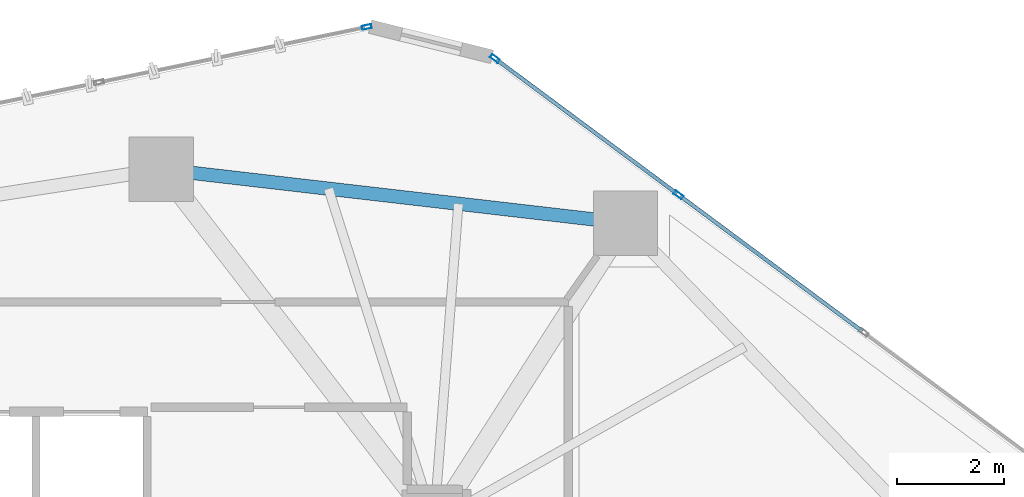
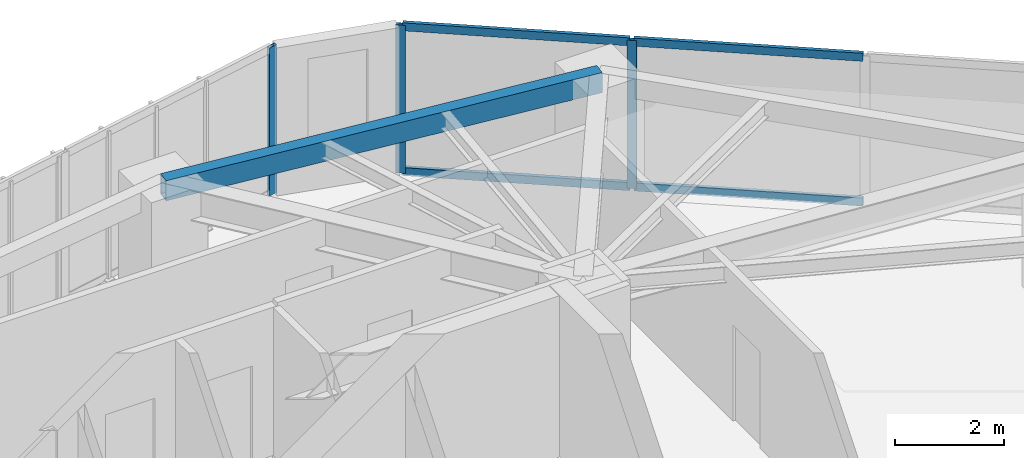
# One storey, part 15 of 22: 7 members, 1 beam, 2 elements without a shape of their own.
"""IFC4 building model written with IfcOpenShell, lengths in metres."""

import ifcopenshell
import ifcopenshell.guid

model = None  # the IFC model being written
_history = None  # IfcOwnerHistory: only IFC2X3 demands one
_inside = {}  # id of a spatial element -> (the spatial element, [elements in it])
_under = {}  # id of a project, library or spatial element -> (it, [spatial elements below it])
_declared = {}  # id of a project -> (the project, [libraries it declares])
_typed = {}  # id of a type object -> (the type object, [elements of that type])
_made_of = {}  # id of a material, layer set ... -> (it, [elements and type objects made of it])


def new_model(schema):
    """Start an empty IFC model of exactly this schema.

    Asked for "IFC4X3", IfcOpenShell would pick the latest addendum, in which some entities
    have other attributes; the version numbers below select the first issue.
    IFC2X3 requires an IfcOwnerHistory on every rooted entity: one is made here for all.
    """
    global model, _history
    if schema == "IFC4X3":
        model = ifcopenshell.file(schema_version=(4, 3, 0, 0))
    else:
        model = ifcopenshell.file(schema=schema)
    _inside.clear()
    _under.clear()
    _declared.clear()
    _typed.clear()
    _made_of.clear()
    _history = None
    if model.schema == "IFC2X3":
        org = make("IfcOrganization", Name="unknown")
        user = make(
            "IfcPersonAndOrganization",
            ThePerson=make("IfcPerson", FamilyName="unknown"),
            TheOrganization=org,
        )
        app = make(
            "IfcApplication",
            ApplicationDeveloper=org,
            Version="unknown",
            ApplicationFullName="unknown",
            ApplicationIdentifier="unknown",
        )
        _history = make(
            "IfcOwnerHistory",
            OwningUser=user,
            OwningApplication=app,
            ChangeAction="ADDED",
            CreationDate=0,
        )
    return model


def make(cls, **values):
    """One entity of the class cls with the attributes given. An attribute that is None is left unset."""
    return model.create_entity(
        cls, **{name: value for name, value in values.items() if value is not None}
    )


def rooted(cls, **values):
    """An entity with a GlobalId (a new one), such as an element, a storey or a relation."""
    return make(cls, GlobalId=ifcopenshell.guid.new(), OwnerHistory=_history, **values)


def si_unit(unit_type, name, prefix=None):
    """IfcSIUnit, for example si_unit("LENGTHUNIT", "METRE", prefix="MILLI")."""
    return make("IfcSIUnit", UnitType=unit_type, Prefix=prefix, Name=name)


def assignment(units):
    """IfcUnitAssignment: the units of a project."""
    return None if units is None else make("IfcUnitAssignment", Units=units)


def point(xyz):
    """IfcCartesianPoint."""
    return None if xyz is None else make("IfcCartesianPoint", Coordinates=xyz)


def direction(xyz):
    """IfcDirection."""
    return None if xyz is None else make("IfcDirection", DirectionRatios=xyz)


def frame(location, z_axis=None, x_axis=None):
    """IfcAxis2Placement3D, a coordinate frame: its origin and axes. An axis left out is left unset."""
    return make(
        "IfcAxis2Placement3D",
        Location=point(location),
        Axis=direction(z_axis),
        RefDirection=direction(x_axis),
    )


def frame_2d(location, x_axis=None):
    """IfcAxis2Placement2D, a coordinate frame in the plane: its origin and x axis."""
    return make(
        "IfcAxis2Placement2D", Location=point(location), RefDirection=direction(x_axis)
    )


def origin():
    """The frame at (0, 0, 0) with its axes left unset."""
    return frame((0.0, 0.0, 0.0))


def origin_2d():
    """The frame at (0, 0) in the plane with its x axis left unset."""
    return frame_2d((0.0, 0.0))


def place(relative_to, where):
    """IfcLocalPlacement: puts the frame where relative to a parent placement (None: the world)."""
    return make(
        "IfcLocalPlacement", PlacementRelTo=relative_to, RelativePlacement=where
    )


def context(
    kind, dimensions, precision=None, world=None, true_north=None, identifier=None
):
    """IfcGeometricRepresentationContext, for example the 3D "Model" context."""
    return make(
        "IfcGeometricRepresentationContext",
        ContextIdentifier=identifier,
        ContextType=kind,
        CoordinateSpaceDimension=dimensions,
        Precision=precision,
        WorldCoordinateSystem=world,
        TrueNorth=true_north,
    )


def subcontext(parent, identifier, kind, view, scale=None):
    """IfcGeometricRepresentationSubContext, for example "Body" below "Model"."""
    return make(
        "IfcGeometricRepresentationSubContext",
        ContextIdentifier=identifier,
        ContextType=kind,
        ParentContext=parent,
        TargetScale=scale,
        TargetView=view,
    )


def project(units=None, contexts=None):
    """IfcProject with its units and contexts."""
    return rooted(
        "IfcProject",
        Name="project",
        RepresentationContexts=contexts,
        UnitsInContext=assignment(units),
    )


def spatial(cls, under=None, at=None, **own):
    """A site, building, storey or space (cls), placed at a placement, below another one or the project."""
    s = rooted(cls, ObjectPlacement=at, **own)
    if under is not None:
        _under.setdefault(under.id(), (under, []))[1].append(s)
    return s


def profile(cls, at=None, kind="AREA", **sizes):
    """A parametric profile (cls). Its sizes go by their IFC names, for example OverallWidth=200.0."""
    return make(cls, ProfileType=kind, Position=at, **sizes)


def hollow_rectangle(**sizes):
    """IfcRectangleHollowProfileDef."""
    return profile("IfcRectangleHollowProfileDef", **sizes)


def extrude(swept, where, along, depth):
    """IfcExtrudedAreaSolid: the profile swept, set in the frame where, extruded along a direction by depth."""
    return make(
        "IfcExtrudedAreaSolid",
        SweptArea=swept,
        Position=where,
        ExtrudedDirection=direction(along),
        Depth=depth,
    )


def shape(context_of_items, identifier, shape_type, items):
    """IfcShapeRepresentation: the items that make up one representation, for example the "Body"."""
    return make(
        "IfcShapeRepresentation",
        ContextOfItems=context_of_items,
        RepresentationIdentifier=identifier,
        RepresentationType=shape_type,
        Items=items,
    )


def source(mapping_origin, context_of_items, identifier, shape_type, items):
    """IfcRepresentationMap: a shape defined once, which mapped items show again and again."""
    return make(
        "IfcRepresentationMap",
        MappingOrigin=mapping_origin,
        MappedRepresentation=shape(context_of_items, identifier, shape_type, items),
    )


def transform(
    local_origin,
    x_axis=None,
    y_axis=None,
    z_axis=None,
    scale=None,
    scale2=None,
    scale3=None,
    uniform=True,
):
    """IfcCartesianTransformationOperator3D, or its non-uniform kind. x_axis, y_axis, z_axis: its Axis1, 2, 3."""
    if uniform:
        return make(
            "IfcCartesianTransformationOperator3D",
            Axis1=direction(x_axis),
            Axis2=direction(y_axis),
            LocalOrigin=point(local_origin),
            Scale=scale,
            Axis3=direction(z_axis),
        )
    return make(
        "IfcCartesianTransformationOperator3DnonUniform",
        Axis1=direction(x_axis),
        Axis2=direction(y_axis),
        LocalOrigin=point(local_origin),
        Scale=scale,
        Axis3=direction(z_axis),
        Scale2=scale2,
        Scale3=scale3,
    )


def mapped(mapping_source, mapping_target):
    """IfcMappedItem: shows the shape of a source again, moved by a transform."""
    return make(
        "IfcMappedItem", MappingSource=mapping_source, MappingTarget=mapping_target
    )


def material(Name=None, Category=None):
    """IfcMaterial."""
    return make("IfcMaterial", Name=Name, Category=Category)


def layer(
    of_material, thickness, ventilated=None, Name=None, Category=None, Priority=None
):
    """IfcMaterialLayer: one layer of a wall or slab, of a material (None: an air gap)."""
    return make(
        "IfcMaterialLayer",
        Material=of_material,
        LayerThickness=thickness,
        IsVentilated=ventilated,
        Name=Name,
        Category=Category,
        Priority=Priority,
    )


def layer_set(layers, Name=None):
    """IfcMaterialLayerSet."""
    return make("IfcMaterialLayerSet", MaterialLayers=layers, LayerSetName=Name)


def material_profile(
    of_material, cross_section, Name=None, Category=None, Priority=None
):
    """IfcMaterialProfile: a cross section and its material."""
    return make(
        "IfcMaterialProfile",
        Name=Name,
        Material=of_material,
        Profile=cross_section,
        Priority=Priority,
        Category=Category,
    )


def profile_set(profiles, Name=None, composite=None):
    """IfcMaterialProfileSet."""
    return make(
        "IfcMaterialProfileSet",
        Name=Name,
        MaterialProfiles=profiles,
        CompositeProfile=composite,
    )


def made_of(thing, what):
    """Note that an element or type object is made of a material, layer set ...; save() writes the relation."""
    if what is not None:
        _made_of.setdefault(what.id(), (what, []))[1].append(thing)
    return thing


def type_object(cls, material=None, **own):
    """A type object (cls), such as IfcWallType, which elements share."""
    return made_of(rooted(cls, **own), material)


def type_shapes(of_type, sources):
    """Give a type object the sources (RepresentationMaps) that its elements show as mapped items."""
    of_type.RepresentationMaps = sources


def element(
    cls,
    number,
    at=None,
    inside=None,
    cuts=None,
    type_object=None,
    material=None,
    context=None,
    identifier="Body",
    shape_type=None,
    held_by="IfcProductDefinitionShape",
    body=None,
    shapes=None,
    **own,
):
    """One element of the class cls, such as IfcWall. Its Tag is "e" and its number.

    at: its placement. inside: the storey or other place that contains it. cuts: it is an
    opening in that element (IfcRelVoidsElement). A single representation is given by context,
    identifier, shape_type and body (its items); several are given by shapes. held_by: the class
    of the entity that holds the representations. save() writes the other relations.
    """
    e = rooted(cls, Tag="e%d" % number, ObjectPlacement=at, **own)
    if body is not None:
        shapes = [shape(context, identifier, shape_type, body)]
    if shapes is not None:
        e.Representation = make(held_by, Representations=shapes)
    if inside is not None:
        _inside.setdefault(inside.id(), (inside, []))[1].append(e)
    if cuts is not None:
        rooted(
            "IfcRelVoidsElement", RelatingBuildingElement=cuts, RelatedOpeningElement=e
        )
    if type_object is not None:
        _typed.setdefault(type_object.id(), (type_object, []))[1].append(e)
    return made_of(e, material)


def aggregate(whole, parts):
    """IfcRelAggregates: a whole, such as a stair, and the parts it consists of."""
    return rooted("IfcRelAggregates", RelatingObject=whole, RelatedObjects=parts)


def save(model, path):
    """Write the relations noted so far, then the file.

    IfcRelAggregates (storeys below a building ...), IfcRelContainedInSpatialStructure (elements
    in a storey), IfcRelDefinesByType, IfcRelAssociatesMaterial and IfcRelDeclares: one each for
    every whole, place, type object, material and project.
    """
    for whole, parts in _under.values():
        aggregate(whole, parts)
    for where, things in _inside.values():
        rooted(
            "IfcRelContainedInSpatialStructure",
            RelatedElements=things,
            RelatingStructure=where,
        )
    for kind, things in _typed.values():
        rooted("IfcRelDefinesByType", RelatedObjects=things, RelatingType=kind)
    for what, things in _made_of.values():
        rooted("IfcRelAssociatesMaterial", RelatedObjects=things, RelatingMaterial=what)
    for by, libraries in _declared.values():
        rooted("IfcRelDeclares", RelatingContext=by, RelatedDefinitions=libraries)
    model.write(path)


model = new_model("IFC4")

# Units and contexts
model_context = context("Model", 3, precision=1e-05, world=origin(), true_north=direction((0.0, 1.0)))
body_context = subcontext(model_context, "Body", "Model", "MODEL_VIEW")
ifc_project = project(units=[si_unit("LENGTHUNIT", "METRE"), si_unit("AREAUNIT", "SQUARE_METRE"), si_unit("VOLUMEUNIT", "CUBIC_METRE"), si_unit("PLANEANGLEUNIT", "RADIAN"), si_unit("MASSUNIT", "GRAM", prefix="KILO")], contexts=[model_context])

# Site, building, storey
site_placement = place(None, origin())
site = spatial("IfcSite", under=ifc_project, at=site_placement, CompositionType="ELEMENT")
building_placement = place(site_placement, origin())
building = spatial("IfcBuilding", under=site, at=building_placement, Name="Talar Marvaseh", CompositionType="ELEMENT")
storey_placement = place(building_placement, frame((0.0, 0.0, 125.39990234375)))
storey = spatial("IfcBuildingStorey", under=building, at=storey_placement, Name="L32", CompositionType="ELEMENT", Elevation=125.39990234375)

# Beam
ifc_material_1 = material(Name="Steel S355", Category="steel")
ifc_material_profile_1 = material_profile(ifc_material_1, hollow_rectangle(XDim=0.25, YDim=0.449951171875, WallThickness=0.01611328125, at=origin_2d()), Name="RHS450x250x16")
ifc_profile_set_1 = profile_set([ifc_material_profile_1], Name="Steel S355")
beam_type = type_object("IfcBeamType", Name="Zone 2 Perimeter Spandrel Beam RHS450x250x16", PredefinedType="SPANDREL", material=ifc_profile_set_1)
beam_placement = place(storey_placement, frame((28.221923828125, 43.471923828125, 3.085205078125), z_axis=(0.993361914569, -0.115030894474, 0.0), x_axis=(0.115030894474, 0.993361914569, 0.0)))
element("IfcBeam", 1, at=beam_placement, inside=storey, type_object=beam_type, Name="L32 Zone 2 Perimeter Spandrel Beam RHS450x250x16", PredefinedType="SPANDREL", context=body_context, shape_type="SweptSolid", body=[
    extrude(hollow_rectangle(XDim=0.25, YDim=0.449951171875, WallThickness=0.01611328125, at=origin_2d()), origin(), (0.0, 0.0, 1.0), 8.701904296875),
])

# Curtain wall, member
ifc_material_2 = material(Name="Architectural Aluminium", Category="aluminium")
ifc_layer = layer(ifc_material_2, 0.199951171875)
ifc_layer_set = layer_set([ifc_layer], Name="Architectural Aluminium")
curtain_wall_type = type_object("IfcCurtainWallType", Name="Unitised Acoustic Library Curtain Wall Z2", PredefinedType="NOTDEFINED", material=ifc_layer_set)
curtain_wall_1_placement = place(storey_placement, origin())
curtain_wall_1 = element("IfcCurtainWall", 2, at=curtain_wall_1_placement, inside=storey, type_object=curtain_wall_type, Name="L32 Unitised Acoustic Library Curtain Wall Z2", PredefinedType="NOTDEFINED")
ifc_material_profile_2 = material_profile(ifc_material_2, hollow_rectangle(XDim=0.074951171875, YDim=0.179931640625, WallThickness=0.0048828125, at=origin_2d()), Name="RHS180x75x5")
ifc_profile_set_2 = profile_set([ifc_material_profile_2], Name="Architectural Aluminium")
member_type_1 = type_object("IfcMemberType", Name="Unitised Curtain Wall Standard Mullion RHS180x75x5", PredefinedType="MULLION", material=ifc_profile_set_2)
shared_shape_1 = source(origin(), body_context, "Body", "SweptSolid", [
    extrude(hollow_rectangle(XDim=0.074951171875, YDim=0.179931640625, WallThickness=0.0048828125, at=origin_2d()), origin(), (0.0, 0.0, 1.0), 3.31005859375),
])
type_shapes(member_type_1, [shared_shape_1])
member_1_placement = place(storey_placement, frame((32.046142578125, 46.122314453125, 0.0), z_axis=(0.0, 0.0, 1.0), x_axis=(-0.202479694695, 0.979286461275, 0.0)))
member_1 = element("IfcMember", 3, at=member_1_placement, type_object=member_type_1, Name="CW-Z2 mullion 4", PredefinedType="MULLION", context=body_context, shape_type="MappedRepresentation", body=[
    mapped(shared_shape_1, transform((0.0, 0.0, 0.0), x_axis=(1.0, 0.0, 0.0), y_axis=(0.0, 1.0, 0.0), z_axis=(0.0, 0.0, 1.0), scale=1.0)),
])
aggregate(curtain_wall_1, [member_1])

# Curtain wall, members
curtain_wall_2_placement = place(storey_placement, origin())
curtain_wall_2 = element("IfcCurtainWall", 4, at=curtain_wall_2_placement, inside=storey, type_object=curtain_wall_type, Name="L32 Unitised Acoustic Library Curtain Wall Z2", PredefinedType="NOTDEFINED")
member_2_placement = place(storey_placement, frame((34.43310546875, 45.535400390625, 0.0), z_axis=(0.0, 0.0, 1.0), x_axis=(0.596169880274, 0.802858314931, 0.0)))
member_2 = element("IfcMember", 5, at=member_2_placement, type_object=member_type_1, Name="CW-Z2 mullion 1", PredefinedType="MULLION", context=body_context, shape_type="MappedRepresentation", body=[
    mapped(shared_shape_1, transform((0.0, 0.0, 0.0), x_axis=(1.0, 0.0, 0.0), y_axis=(0.0, 1.0, 0.0), z_axis=(0.0, 0.0, 1.0), scale=1.0)),
])
member_3_placement = place(storey_placement, frame((37.853759765625, 42.99560546875, 0.0), z_axis=(0.0, 0.0, 1.0), x_axis=(0.596169880274, 0.802858314931, 0.0)))
member_3 = element("IfcMember", 6, at=member_3_placement, type_object=member_type_1, Name="CW-Z2 mullion 2", PredefinedType="MULLION", context=body_context, shape_type="MappedRepresentation", body=[
    mapped(shared_shape_1, transform((0.0, 0.0, 0.0), x_axis=(1.0, 0.0, 0.0), y_axis=(0.0, 1.0, 0.0), z_axis=(0.0, 0.0, 1.0), scale=1.0)),
])
ifc_material_profile_3 = material_profile(ifc_material_2, hollow_rectangle(XDim=0.074951171875, YDim=0.179931640625, WallThickness=0.0048828125, at=origin_2d()), Name="RHS180x75x5")
ifc_profile_set_3 = profile_set([ifc_material_profile_3], Name="Architectural Aluminium")
member_type_2 = type_object("IfcMemberType", Name="Unitised Curtain Wall Transom RHS180x75x5", PredefinedType="USERDEFINED", material=ifc_profile_set_3)
shared_shape_2 = source(origin(), body_context, "Body", "SweptSolid", [
    extrude(hollow_rectangle(XDim=0.074951171875, YDim=0.179931640625, WallThickness=0.0048828125, at=origin_2d()), origin(), (0.0, 0.0, 1.0), 4.185302734375),
])
member_4_placement = place(storey_placement, frame((34.46337890625, 45.51318359375, 0.03759765625), z_axis=(0.802826014778, -0.59621337623, 0.0), x_axis=(0.59621337623, 0.802826014778, 0.0)))
member_4 = element("IfcMember", 7, at=member_4_placement, type_object=member_type_2, Name="CW-Z2 transom 1.1", ObjectType="TRANSOM", PredefinedType="USERDEFINED", context=body_context, shape_type="MappedRepresentation", body=[
    mapped(shared_shape_2, transform((0.0, 0.0, 0.0), x_axis=(1.0, 0.0, 0.0), y_axis=(0.0, 1.0, 0.0), z_axis=(0.0, 0.0, 1.0), scale=1.0)),
])
member_5_placement = place(storey_placement, frame((34.46337890625, 45.51318359375, 3.272705078125), z_axis=(0.802826014778, -0.59621337623, 0.0), x_axis=(0.59621337623, 0.802826014778, 0.0)))
member_5 = element("IfcMember", 8, at=member_5_placement, type_object=member_type_2, Name="CW-Z2 transom 1.2", ObjectType="TRANSOM", PredefinedType="USERDEFINED", context=body_context, shape_type="MappedRepresentation", body=[
    mapped(shared_shape_2, transform((0.0, 0.0, 0.0), x_axis=(1.0, 0.0, 0.0), y_axis=(0.0, 1.0, 0.0), z_axis=(0.0, 0.0, 1.0), scale=1.0)),
])
shared_shape_3 = source(origin(), body_context, "Body", "SweptSolid", [
    extrude(hollow_rectangle(XDim=0.074951171875, YDim=0.179931640625, WallThickness=0.0048828125, at=origin_2d()), origin(), (0.0, 0.0, 1.0), 4.222900390625),
])
type_shapes(member_type_2, [shared_shape_2, shared_shape_3])
member_6_placement = place(storey_placement, frame((37.8837890625, 42.97314453125, 0.03759765625), z_axis=(0.802856115394, -0.596172842366, 0.0), x_axis=(0.596172842366, 0.802856115394, 0.0)))
member_6 = element("IfcMember", 9, at=member_6_placement, type_object=member_type_2, Name="CW-Z2 transom 2.1", ObjectType="TRANSOM", PredefinedType="USERDEFINED", context=body_context, shape_type="MappedRepresentation", body=[
    mapped(shared_shape_3, transform((0.0, 0.0, 0.0), x_axis=(1.0, 0.0, 0.0), y_axis=(0.0, 1.0, 0.0), z_axis=(0.0, 0.0, 1.0), scale=1.0)),
])
member_7_placement = place(storey_placement, frame((37.8837890625, 42.97314453125, 3.272705078125), z_axis=(0.802856115394, -0.596172842366, 0.0), x_axis=(0.596172842366, 0.802856115394, 0.0)))
member_7 = element("IfcMember", 10, at=member_7_placement, type_object=member_type_2, Name="CW-Z2 transom 2.2", ObjectType="TRANSOM", PredefinedType="USERDEFINED", context=body_context, shape_type="MappedRepresentation", body=[
    mapped(shared_shape_3, transform((0.0, 0.0, 0.0), x_axis=(1.0, 0.0, 0.0), y_axis=(0.0, 1.0, 0.0), z_axis=(0.0, 0.0, 1.0), scale=1.0)),
])
aggregate(curtain_wall_2, [member_2, member_3, member_4, member_5, member_6, member_7])

save(model, "model.ifc")
